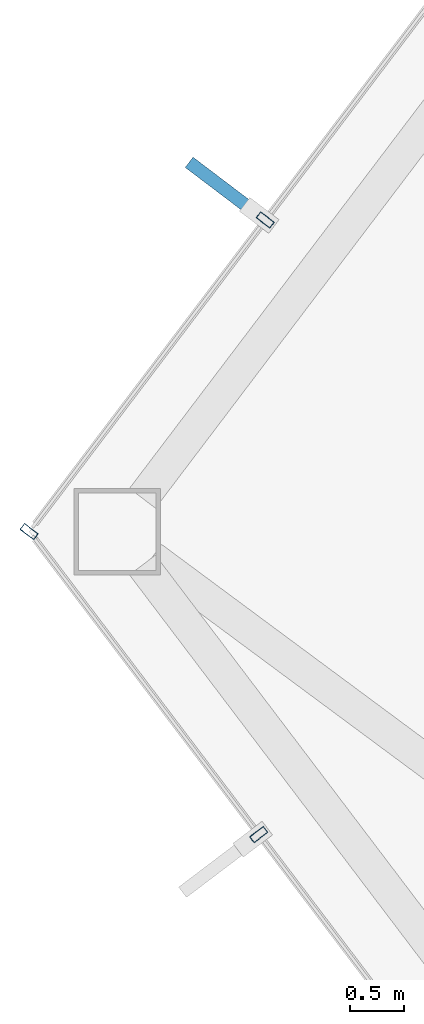
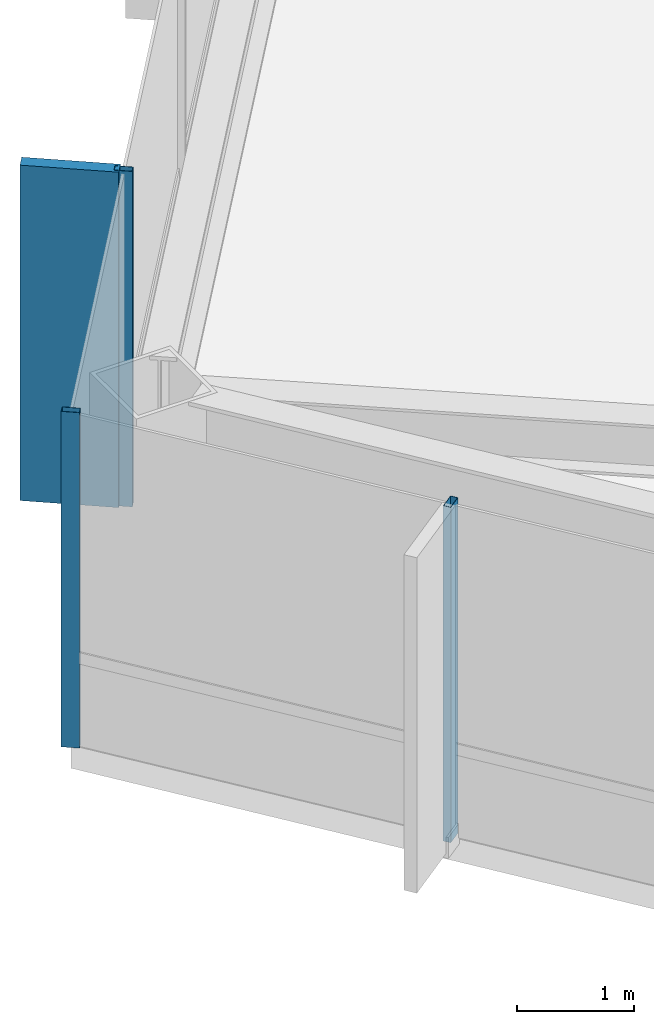
# One storey, part 10 of 28: 4 members, 2 elements without a shape of their own.
"""IFC4 building model written with IfcOpenShell, lengths in metres."""

from ifc_helpers import new_model, si_unit, direction, frame, origin, origin_2d, place, context, subcontext, project, spatial, rectangle, hollow_rectangle, extrude, material, layer, layer_set, material_profile, profile_set, type_object, element, aggregate, save


model = new_model("IFC4")

# Units and contexts
model_context = context("Model", 3, precision=1e-05, world=origin(), true_north=direction((0.0, 1.0)))
body_context = subcontext(model_context, "Body", "Model", "MODEL_VIEW")
ifc_project = project(units=[si_unit("LENGTHUNIT", "METRE"), si_unit("AREAUNIT", "SQUARE_METRE"), si_unit("VOLUMEUNIT", "CUBIC_METRE"), si_unit("PLANEANGLEUNIT", "RADIAN"), si_unit("MASSUNIT", "GRAM", prefix="KILO")], contexts=[model_context])

# Site, building, storey
site_placement = place(None, origin())
site = spatial("IfcSite", under=ifc_project, at=site_placement, CompositionType="ELEMENT")
building_placement = place(site_placement, origin())
building = spatial("IfcBuilding", under=site, at=building_placement, Name="Zarrinselat Tower", CompositionType="ELEMENT")
storey_placement = place(building_placement, frame((0.0, 0.0, 149.60009765625)))
storey = spatial("IfcBuildingStorey", under=building, at=storey_placement, Name="L36", CompositionType="ELEMENT", Elevation=149.60009765625)

# Curtain wall, members
ifc_material_1 = material(Name="Extruded Aluminium Alloy EN AW-6063 T6", Category="aluminium")
ifc_layer = layer(ifc_material_1, 0.175048828125)
ifc_layer_set = layer_set([ifc_layer], Name="Extruded Aluminium Alloy EN AW-6063 T6")
curtain_wall_type = type_object("IfcCurtainWallType", Name="CWS-HTL", PredefinedType="NOTDEFINED", material=ifc_layer_set)
curtain_wall_1_placement = place(storey_placement, origin())
curtain_wall_1 = element("IfcCurtainWall", 1, at=curtain_wall_1_placement, inside=storey, type_object=curtain_wall_type, Name="L36 Unitised Curtain Wall CW-L36-E02", PredefinedType="NOTDEFINED")
ifc_material_2 = material(Name="Extruded Aluminium Alloy EN AW-6063 T6", Category="aluminium")
ifc_material_profile_1 = material_profile(ifc_material_2, hollow_rectangle(XDim=0.070068359375, YDim=0.159912109375, WallThickness=0.00390625, at=origin_2d()), Name="RHS 160x70x4")
ifc_profile_set_1 = profile_set([ifc_material_profile_1], Name="Extruded Aluminium Alloy EN AW-6063 T6")
member_type_1 = type_object("IfcMemberType", Name="MEM-CW-MUL2", PredefinedType="MULLION", material=ifc_profile_set_1)
member_1_placement = place(storey_placement, frame((17.519287109375, 40.370849609375, 0.0), z_axis=(0.0, 0.0, 1.0), x_axis=(-0.603857687995, -0.797092148154, 0.0)))
member_1 = element("IfcMember", 2, at=member_1_placement, type_object=member_type_1, Name="CW-L36-E02 Mullion 3", PredefinedType="MULLION", context=body_context, shape_type="SweptSolid", body=[
    extrude(hollow_rectangle(XDim=0.070068359375, YDim=0.159912109375, WallThickness=0.00390625, at=origin_2d()), origin(), (0.0, 0.0, 1.0), 3.5),
])
member_2_placement = place(storey_placement, frame((15.331787109375, 37.4833984375, 0.0), z_axis=(0.0, 0.0, 1.0), x_axis=(-0.603857687995, -0.797092148154, 0.0)))
member_2 = element("IfcMember", 3, at=member_2_placement, type_object=member_type_1, Name="CW-L36-E02 Mullion 4", PredefinedType="MULLION", context=body_context, shape_type="SweptSolid", body=[
    extrude(hollow_rectangle(XDim=0.070068359375, YDim=0.159912109375, WallThickness=0.00390625, at=origin_2d()), origin(), (0.0, 0.0, 1.0), 3.5),
])

# Curtain wall, member
curtain_wall_2_placement = place(storey_placement, origin())
curtain_wall_2 = element("IfcCurtainWall", 4, at=curtain_wall_2_placement, inside=storey, type_object=curtain_wall_type, Name="L36 Unitised Curtain Wall CW-L36-E03", PredefinedType="NOTDEFINED")
member_3_placement = place(storey_placement, frame((17.45849609375, 34.67578125, 0.0), z_axis=(0.0, 0.0, 1.0), x_axis=(0.603856985167, -0.7970926806, 0.0)))
member_3 = element("IfcMember", 5, at=member_3_placement, type_object=member_type_1, Name="CW-L36-E03 Mullion 1", PredefinedType="MULLION", context=body_context, shape_type="SweptSolid", body=[
    extrude(hollow_rectangle(XDim=0.070068359375, YDim=0.159912109375, WallThickness=0.00390625, at=origin_2d()), origin(), (0.0, 0.0, 1.0), 3.5),
])
aggregate(curtain_wall_2, [member_3])

# Member
ifc_material_3 = material(Name="Honed Cream Travertine Stone", Category="masonry")
ifc_material_profile_2 = material_profile(ifc_material_3, rectangle(XDim=0.1201171875, YDim=0.85009765625, at=origin_2d()), Name="FIN 850x120")
ifc_profile_set_2 = profile_set([ifc_material_profile_2], Name="Honed Cream Travertine Stone")
member_type_2 = type_object("IfcMemberType", Name="MEM-STONE-FIN", PredefinedType="USERDEFINED", material=ifc_profile_set_2)
member_4_placement = place(storey_placement, frame((17.152587890625, 40.648681640625, 0.0), z_axis=(0.0, 0.0, 1.0), x_axis=(0.603857687995, 0.797092148154, 0.0)))
member_4 = element("IfcMember", 6, at=member_4_placement, type_object=member_type_2, Name="L36 Stone Shading Fin CW-L36-E02-03", ObjectType="FIN", PredefinedType="USERDEFINED", context=body_context, shape_type="SweptSolid", body=[
    extrude(rectangle(XDim=0.1201171875, YDim=0.85009765625, at=origin_2d()), origin(), (0.0, 0.0, 1.0), 3.5),
])

aggregate(curtain_wall_1, [member_1, member_4, member_2])

save(model, "model.ifc")
